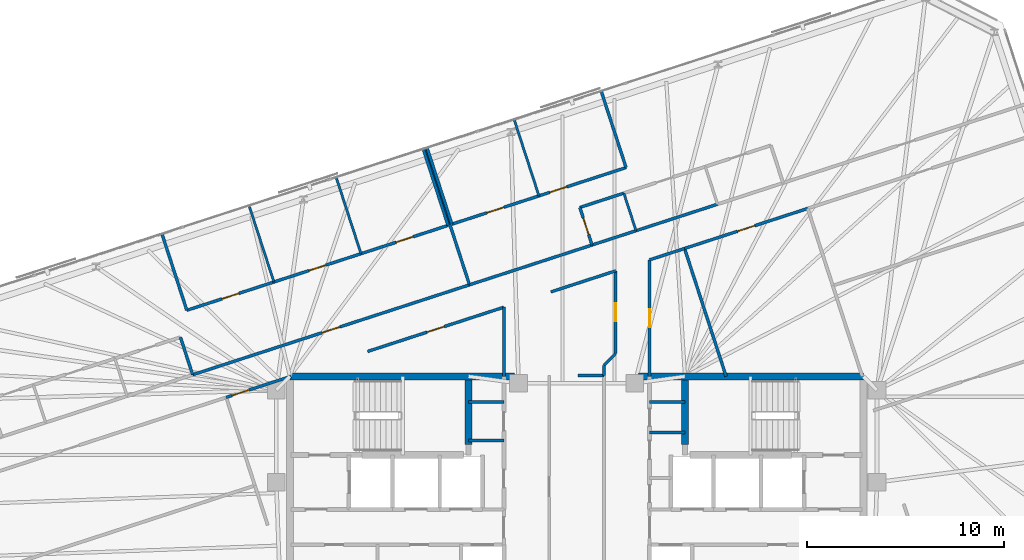
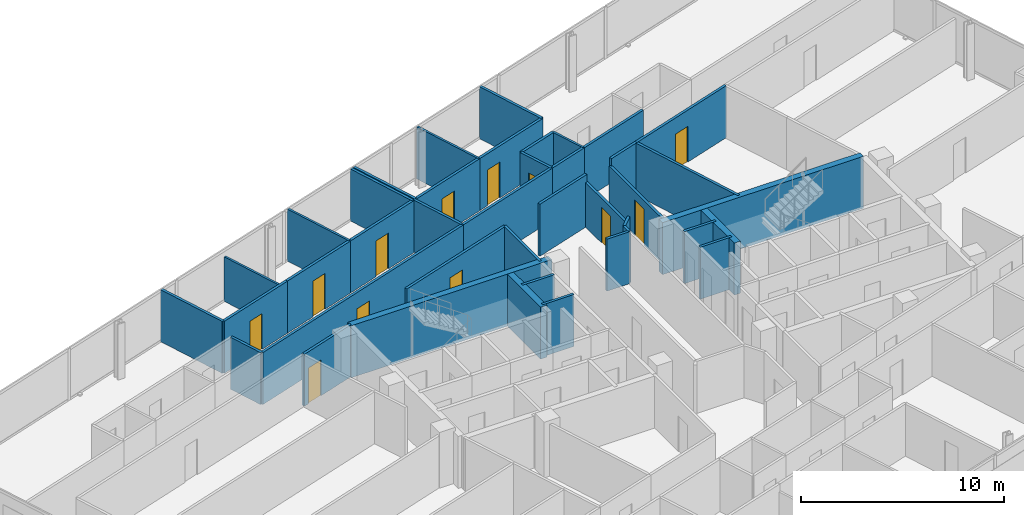
# One storey, part 17 of 20: 41 walls, 12 doors, 12 openings.
"""IFC4 building model written with IfcOpenShell, lengths in metres."""

from ifc_helpers import new_model, si_unit, direction, frame, frame_2d, origin, place, context, subcontext, project, spatial, rectangle, extrude, material, layer, layer_set, type_object, element, fill, save


model = new_model("IFC4")

# Units and contexts
model_context = context("Model", 3, precision=1e-05, world=origin(), true_north=direction((0.0, 1.0)))
body_context = subcontext(model_context, "Body", "Model", "MODEL_VIEW")
ifc_project = project(units=[si_unit("LENGTHUNIT", "METRE"), si_unit("AREAUNIT", "SQUARE_METRE"), si_unit("VOLUMEUNIT", "CUBIC_METRE"), si_unit("PLANEANGLEUNIT", "RADIAN"), si_unit("MASSUNIT", "GRAM", prefix="KILO")], contexts=[model_context])

# Site, building, storey
site_placement = place(None, origin())
site = spatial("IfcSite", under=ifc_project, at=site_placement, CompositionType="ELEMENT")
building_placement = place(site_placement, origin())
building = spatial("IfcBuilding", under=site, at=building_placement, Name="Menara Jurai Vektor", CompositionType="ELEMENT")
storey_placement = place(building_placement, frame((0.0, 0.0, 247.75)))
storey = spatial("IfcBuildingStorey", under=building, at=storey_placement, Name="L66", CompositionType="ELEMENT", Elevation=247.75)

# Walls
ifc_material_1 = material(Name="Gypsum Fireboard Partition", Category="gypsum")
ifc_layer_1 = layer(ifc_material_1, 0.14990234375)
ifc_layer_set_1 = layer_set([ifc_layer_1], Name="Gypsum Fireboard Partition")
wall_type_1 = type_object("IfcWallType", Name="INT-WALL-CORR-150", PredefinedType="PARTITIONING", material=ifc_layer_set_1)
for number, where, z_axis, x_axis, name in (
    (1, (-5.5, 4.300048828125, 0.0), (0.0, 0.0, 1.0), (1.0, 0.0, 0.0), "Interior Wall IW-150 L66"),
    (2, (-5.5, 2.35009765625, 0.0), (0.0, 0.0, 1.0), (1.0, 0.0, 0.0), "Interior Wall IW-150 L66"),
    (3, (3.699951171875, 4.300048828125, 0.0), (0.0, 0.0, 1.0), (1.0, 0.0, 0.0), "Interior Wall IW-150 L66"),
    (4, (3.699951171875, 2.75, 0.0), (0.0, 0.0, 1.0), (1.0, 0.0, 0.0), "Interior Wall IW-150 L66"),
):
    element("IfcWall", number, at=place(storey_placement, frame(where, z_axis=z_axis, x_axis=x_axis)), inside=storey, type_object=wall_type_1, Name=name, PredefinedType="PARTITIONING", context=body_context, shape_type="SweptSolid", body=[
        extrude(rectangle(XDim=1.800048828125, YDim=0.14990234375, at=frame_2d((0.89990234375, 0.0))), origin(), (0.0, 0.0, 1.0), 3.125),
    ])

# Wall, opening, door
wall_1_placement = place(storey_placement, frame((-19.4970703125, 5.68017578125, 0.0), z_axis=(0.0, 0.0, 1.0), x_axis=(0.95105300492, 0.309027801067, 0.0)))
wall_1 = element("IfcWall", 5, at=wall_1_placement, inside=storey, type_object=wall_type_1, Name="Interior Wall IW-150 L66", PredefinedType="PARTITIONING", context=body_context, shape_type="SweptSolid", body=[
    extrude(rectangle(XDim=14.779052734375, YDim=0.14990234375, at=frame_2d((7.3896484375, 0.0))), origin(), (0.0, 0.0, 1.0), 3.125),
])
opening_1_placement = place(wall_1_placement, frame((6.91455078125, 0.0, 0.0)))
opening_1 = element("IfcOpeningElement", 6, at=opening_1_placement, cuts=wall_1, Name="Opening D66-10", PredefinedType="OPENING", context=body_context, shape_type="SweptSolid", body=[
    extrude(rectangle(XDim=0.949951171875, YDim=2.14990234375, at=frame_2d((0.47509765625, 1.074951171875))), frame((0.0, 0.0849609375, 0.0), z_axis=(0.0, -1.0, 0.0), x_axis=(1.0, 0.0, 0.0)), (0.0, 0.0, 1.0), 0.169921875),
])
ifc_material_2 = material(Name="Solid Core Timber Fire Door", Category="wood")
door_type_1 = type_object("IfcDoorType", Name="DR-ENTRY-950", OperationType="NOTDEFINED", PredefinedType="DOOR", material=ifc_material_2)
door_1_placement = place(opening_1_placement, origin())
door_1 = element("IfcDoor", 7, at=door_1_placement, inside=storey, type_object=door_type_1, Name="Interior Door D66-10", OperationType="SINGLE_SWING_RIGHT", OverallHeight=2.14990234375, OverallWidth=0.949951171875, PredefinedType="DOOR", context=body_context, shape_type="SweptSolid", body=[
    extrude(rectangle(XDim=0.949951171875, YDim=2.14990234375, at=frame_2d((0.47509765625, 1.074951171875))), frame((0.0, 0.02490234375, 0.0), z_axis=(0.0, -1.0, 0.0), x_axis=(1.0, 0.0, 0.0)), (0.0, 0.0, 1.0), 0.050048828125),
])
fill(opening_1, door_1)

# Walls
wall_2_placement = place(storey_placement, frame((-5.44140625, 10.247314453125, 0.0), z_axis=(0.0, 0.0, 1.0), x_axis=(0.951062860421, 0.308997468483, 0.0)))
element("IfcWall", 8, at=wall_2_placement, inside=storey, type_object=wall_type_1, Name="Interior Wall IW-150 L66", PredefinedType="PARTITIONING", context=body_context, shape_type="SweptSolid", body=[
    extrude(rectangle(XDim=6.5419921875, YDim=0.14990234375, at=frame_2d((3.27099609375, 0.0))), origin(), (0.0, 0.0, 1.0), 3.125),
])
wall_3_placement = place(storey_placement, frame((0.780517578125, 12.268798828125, 0.0), z_axis=(0.0, 0.0, 1.0), x_axis=(0.951066131077, 0.308987401554, 0.0)))
element("IfcWall", 9, at=wall_3_placement, inside=storey, type_object=wall_type_1, Name="Interior Wall IW-150 L66", PredefinedType="PARTITIONING", context=body_context, shape_type="SweptSolid", body=[
    extrude(rectangle(XDim=2.349853515625, YDim=0.14990234375, at=frame_2d((1.1748046875, 0.0))), origin(), (0.0, 0.0, 1.0), 3.125),
])
wall_4_placement = place(storey_placement, frame((3.015380859375, 12.994873046875, 0.0), z_axis=(0.0, 0.0, 1.0), x_axis=(0.951052627573, 0.309028962374, 0.0)))
element("IfcWall", 10, at=wall_4_placement, inside=storey, type_object=wall_type_1, Name="Interior Wall IW-150 L66", PredefinedType="PARTITIONING", context=body_context, shape_type="SweptSolid", body=[
    extrude(rectangle(XDim=4.349853515625, YDim=0.14990234375, at=frame_2d((2.1748046875, 0.0))), origin(), (0.0, 0.0, 1.0), 3.125),
])
wall_5_placement = place(storey_placement, frame((3.699462890625, 11.513916015625, 0.0), z_axis=(0.0, 0.0, 1.0), x_axis=(0.951069540665, 0.308976906612, 0.0)))
element("IfcWall", 11, at=wall_5_placement, inside=storey, type_object=wall_type_1, Name="Interior Wall IW-150 L66", PredefinedType="PARTITIONING", context=body_context, shape_type="SweptSolid", body=[
    extrude(rectangle(XDim=1.87109375, YDim=0.14990234375, at=frame_2d((0.935546875, 0.0))), origin(), (0.0, 0.0, 1.0), 3.125),
])

# Wall, opening, door
wall_6_placement = place(storey_placement, frame((5.47900390625, 12.092041015625, 0.0), z_axis=(0.0, 0.0, 1.0), x_axis=(0.951051809397, 0.309031480343, 0.0)))
wall_6 = element("IfcWall", 12, at=wall_6_placement, inside=storey, type_object=wall_type_1, Name="Interior Wall IW-150 L66", PredefinedType="PARTITIONING", context=body_context, shape_type="SweptSolid", body=[
    extrude(rectangle(XDim=6.572998046875, YDim=0.14990234375, at=frame_2d((3.28662109375, 0.0))), origin(), (0.0, 0.0, 1.0), 3.125),
])
opening_2_placement = place(wall_6_placement, frame((2.826416015625, 0.0, 0.0)))
opening_2 = element("IfcOpeningElement", 13, at=opening_2_placement, cuts=wall_6, Name="Opening D66-54", PredefinedType="OPENING", context=body_context, shape_type="SweptSolid", body=[
    extrude(rectangle(XDim=0.919921875, YDim=2.14990234375, at=frame_2d((0.4599609375, 1.074951171875))), frame((0.0, 0.0849609375, 0.0), z_axis=(0.0, -1.0, 0.0), x_axis=(1.0, 0.0, 0.0)), (0.0, 0.0, 1.0), 0.169921875),
])
door_2_placement = place(opening_2_placement, origin())
door_2 = element("IfcDoor", 14, at=door_2_placement, inside=storey, type_object=door_type_1, Name="Interior Door D66-54", OperationType="SINGLE_SWING_RIGHT", OverallHeight=2.14990234375, OverallWidth=0.919921875, PredefinedType="DOOR", context=body_context, shape_type="SweptSolid", body=[
    extrude(rectangle(XDim=0.919921875, YDim=2.14990234375, at=frame_2d((0.4599609375, 1.074951171875))), frame((0.0, 0.02490234375, 0.0), z_axis=(0.0, -1.0, 0.0), x_axis=(1.0, 0.0, 0.0)), (0.0, 0.0, 1.0), 0.050048828125),
])
fill(opening_2, door_2)

wall_7_placement = place(storey_placement, frame((-17.79150390625, 4.531005859375, 0.0), z_axis=(0.0, 0.0, 1.0), x_axis=(0.951047546178, 0.309044600193, 0.0)))
wall_7 = element("IfcWall", 15, at=wall_7_placement, inside=storey, type_object=wall_type_1, Name="Interior Wall IW-150 L66", PredefinedType="PARTITIONING", context=body_context, shape_type="SweptSolid", body=[
    extrude(rectangle(XDim=3.4609375, YDim=0.14990234375, at=frame_2d((1.73046875, 0.0))), origin(), (0.0, 0.0, 1.0), 3.125),
])
opening_3_placement = place(wall_7_placement, frame((0.301513671875, 0.0, 0.0)))
opening_3 = element("IfcOpeningElement", 16, at=opening_3_placement, cuts=wall_7, Name="Opening D66-55", PredefinedType="OPENING", context=body_context, shape_type="SweptSolid", body=[
    extrude(rectangle(XDim=0.919921875, YDim=2.14990234375, at=frame_2d((0.4599609375, 1.074951171875))), frame((0.0, 0.0849609375, 0.0), z_axis=(0.0, -1.0, 0.0), x_axis=(1.0, 0.0, 0.0)), (0.0, 0.0, 1.0), 0.169921875),
])
door_3_placement = place(opening_3_placement, origin())
door_3 = element("IfcDoor", 17, at=door_3_placement, inside=storey, type_object=door_type_1, Name="Interior Door D66-55", OperationType="SINGLE_SWING_LEFT", OverallHeight=2.14990234375, OverallWidth=0.919921875, PredefinedType="DOOR", context=body_context, shape_type="SweptSolid", body=[
    extrude(rectangle(XDim=0.919921875, YDim=2.14990234375, at=frame_2d((0.4599609375, 1.074951171875))), frame((0.0, 0.02490234375, 0.0), z_axis=(0.0, -1.0, 0.0), x_axis=(1.0, 0.0, 0.0)), (0.0, 0.0, 1.0), 0.050048828125),
])
fill(opening_3, door_3)

# Walls
wall_8_placement = place(storey_placement, frame((-1.310791015625, 9.885986328125, 0.0), z_axis=(0.0, 0.0, 1.0), x_axis=(0.951068803905, 0.308979174442, 0.0)))
element("IfcWall", 18, at=wall_8_placement, inside=storey, type_object=wall_type_1, Name="Interior Wall IW-150 L66", PredefinedType="PARTITIONING", context=body_context, shape_type="SweptSolid", body=[
    extrude(rectangle(XDim=3.4599609375, YDim=0.14990234375, at=frame_2d((1.72998046875, 0.0))), origin(), (0.0, 0.0, 1.0), 3.125),
])
wall_9_placement = place(storey_placement, frame((1.390625, 5.6494140625, 0.0), z_axis=(0.0, 0.0, 1.0), x_axis=(0.000957395444, 0.999999541697, 0.0)))
element("IfcWall", 19, at=wall_9_placement, inside=storey, type_object=wall_type_1, Name="Interior Wall IW-150 L66", PredefinedType="PARTITIONING", context=body_context, shape_type="SweptSolid", body=[
    extrude(rectangle(XDim=0.510009765625, YDim=0.14990234375, at=frame_2d((0.2548828125, 0.0))), origin(), (0.0, 0.0, 1.0), 3.125),
])
wall_10_placement = place(storey_placement, frame((1.39111328125, 6.159423828125, 0.0), z_axis=(0.0, 0.0, 1.0), x_axis=(0.707106781187, 0.707106781187, 0.0)))
element("IfcWall", 20, at=wall_10_placement, inside=storey, type_object=wall_type_1, Name="Interior Wall IW-150 L66", PredefinedType="PARTITIONING", context=body_context, shape_type="SweptSolid", body=[
    extrude(rectangle(XDim=0.832763671875, YDim=0.14990234375, at=frame_2d((0.41650390625, 0.0))), origin(), (0.0, 0.0, 1.0), 3.125),
])

# Wall, opening, door
wall_11_placement = place(storey_placement, frame((-10.612060546875, 6.86376953125, 0.0), z_axis=(0.0, 0.0, 1.0), x_axis=(0.951060972078, 0.309003280548, 0.0)))
wall_11 = element("IfcWall", 21, at=wall_11_placement, inside=storey, type_object=wall_type_1, Name="Interior Wall IW-150 L66", PredefinedType="PARTITIONING", context=body_context, shape_type="SweptSolid", body=[
    extrude(rectangle(XDim=7.26806640625, YDim=0.14990234375, at=frame_2d((3.634033203125, 0.0))), origin(), (0.0, 0.0, 1.0), 3.125),
])
opening_4_placement = place(wall_11_placement, frame((3.174072265625, 0.0, 0.0)))
opening_4 = element("IfcOpeningElement", 22, at=opening_4_placement, cuts=wall_11, Name="Opening D66-57", PredefinedType="OPENING", context=body_context, shape_type="SweptSolid", body=[
    extrude(rectangle(XDim=0.919921875, YDim=2.14990234375, at=frame_2d((0.4599609375, 1.074951171875))), frame((0.0, 0.0849609375, 0.0), z_axis=(0.0, -1.0, 0.0), x_axis=(1.0, 0.0, 0.0)), (0.0, 0.0, 1.0), 0.169921875),
])
door_4_placement = place(opening_4_placement, origin())
door_4 = element("IfcDoor", 23, at=door_4_placement, inside=storey, type_object=door_type_1, Name="Interior Door D66-57", OperationType="SINGLE_SWING_LEFT", OverallHeight=2.14990234375, OverallWidth=0.919921875, PredefinedType="DOOR", context=body_context, shape_type="SweptSolid", body=[
    extrude(rectangle(XDim=0.919921875, YDim=2.14990234375, at=frame_2d((0.4599609375, 1.074951171875))), frame((0.0, 0.02490234375, 0.0), z_axis=(0.0, -1.0, 0.0), x_axis=(1.0, 0.0, 0.0)), (0.0, 0.0, 1.0), 0.050048828125),
])
fill(opening_4, door_4)

# Walls
wall_12_placement = place(storey_placement, frame((-3.7001953125, 5.599853515625, 0.0), z_axis=(0.0, 0.0, 1.0), x_axis=(0.000139120755, 0.999999990323, 0.0)))
element("IfcWall", 24, at=wall_12_placement, inside=storey, type_object=wall_type_1, Name="Interior Wall IW-150 L66", PredefinedType="PARTITIONING", context=body_context, shape_type="SweptSolid", body=[
    extrude(rectangle(XDim=3.509765625, YDim=0.14990234375, at=frame_2d((1.7548828125, 0.0))), origin(), (0.0, 0.0, 1.0), 3.125),
])
wall_13_placement = place(storey_placement, frame((0.065673828125, 5.64990234375, 0.0), z_axis=(0.0, 0.0, 1.0), x_axis=(0.999999932094, -0.000368527707, 0.0)))
element("IfcWall", 25, at=wall_13_placement, inside=storey, type_object=wall_type_1, Name="Interior Wall IW-150 L66", PredefinedType="PARTITIONING", context=body_context, shape_type="SweptSolid", body=[
    extrude(rectangle(XDim=1.324951171875, YDim=0.14990234375, at=frame_2d((0.66259765625, 0.0))), origin(), (0.0, 0.0, 1.0), 3.125),
])
wall_14_placement = place(storey_placement, frame((-19.4970703125, 5.68017578125, 0.0), z_axis=(0.0, 0.0, 1.0), x_axis=(-0.309022749039, 0.951054646472, 0.0)))
element("IfcWall", 26, at=wall_14_placement, inside=storey, type_object=wall_type_1, Name="Interior Wall IW-150 L66", PredefinedType="PARTITIONING", context=body_context, shape_type="SweptSolid", body=[
    extrude(rectangle(XDim=2.005126953125, YDim=0.14990234375, at=frame_2d((1.00244140625, 0.0))), origin(), (0.0, 0.0, 1.0), 3.125),
])
wall_15_placement = place(storey_placement, frame((-19.794189453125, 8.95361328125, 0.0), z_axis=(0.0, 0.0, 1.0), x_axis=(-0.309018403393, 0.951056058476, 0.0)))
element("IfcWall", 27, at=wall_15_placement, inside=storey, type_object=wall_type_1, Name="Interior Wall IW-150 L66", PredefinedType="PARTITIONING", context=body_context, shape_type="SweptSolid", body=[
    extrude(rectangle(XDim=4.0791015625, YDim=0.14990234375, at=frame_2d((2.03955078125, 0.0))), origin(), (0.0, 0.0, 1.0), 3.125),
])

# Wall, opening, door
wall_16_placement = place(storey_placement, frame((-19.794189453125, 8.95361328125, 0.0), z_axis=(0.0, 0.0, 1.0), x_axis=(0.951065702951, 0.308988719326, 0.0)))
wall_16 = element("IfcWall", 28, at=wall_16_placement, inside=storey, type_object=wall_type_1, Name="Interior Wall IW-150 L66", PredefinedType="PARTITIONING", context=body_context, shape_type="SweptSolid", body=[
    extrude(rectangle(XDim=4.64990234375, YDim=0.14990234375, at=frame_2d((2.324951171875, 0.0))), origin(), (0.0, 0.0, 1.0), 3.125),
])
opening_5_placement = place(wall_16_placement, frame((1.875, 0.0, 0.0)))
opening_5 = element("IfcOpeningElement", 29, at=opening_5_placement, cuts=wall_16, Name="Opening D66-14", PredefinedType="OPENING", context=body_context, shape_type="SweptSolid", body=[
    extrude(rectangle(XDim=0.89990234375, YDim=2.14990234375, at=frame_2d((0.449951171875, 1.074951171875))), frame((0.0, 0.0849609375, 0.0), z_axis=(0.0, -1.0, 0.0), x_axis=(1.0, 0.0, 0.0)), (0.0, 0.0, 1.0), 0.169921875),
])
ifc_material_3 = material(Name="Acoustic Timber Interior Door", Category="wood")
door_type_2 = type_object("IfcDoorType", Name="DR-ROOM-900", OperationType="NOTDEFINED", PredefinedType="DOOR", material=ifc_material_3)
door_5_placement = place(opening_5_placement, origin())
door_5 = element("IfcDoor", 30, at=door_5_placement, inside=storey, type_object=door_type_2, Name="Interior Door D66-14", OperationType="SINGLE_SWING_RIGHT", OverallHeight=2.14990234375, OverallWidth=0.89990234375, PredefinedType="DOOR", context=body_context, shape_type="SweptSolid", body=[
    extrude(rectangle(XDim=0.89990234375, YDim=2.14990234375, at=frame_2d((0.449951171875, 1.074951171875))), frame((0.0, 0.02490234375, 0.0), z_axis=(0.0, -1.0, 0.0), x_axis=(1.0, 0.0, 0.0)), (0.0, 0.0, 1.0), 0.050048828125),
])
fill(opening_5, door_5)

wall_17_placement = place(storey_placement, frame((-15.371826171875, 10.390380859375, 0.0), z_axis=(0.0, 0.0, 1.0), x_axis=(0.951050272606, 0.309036209813, 0.0)))
wall_17 = element("IfcWall", 31, at=wall_17_placement, inside=storey, type_object=wall_type_1, Name="Interior Wall IW-150 L66", PredefinedType="PARTITIONING", context=body_context, shape_type="SweptSolid", body=[
    extrude(rectangle(XDim=4.64990234375, YDim=0.14990234375, at=frame_2d((2.324951171875, 0.0))), origin(), (0.0, 0.0, 1.0), 3.125),
])
opening_6_placement = place(wall_17_placement, frame((1.875, 0.0, 0.0)))
opening_6 = element("IfcOpeningElement", 32, at=opening_6_placement, cuts=wall_17, Name="Opening D66-15", PredefinedType="OPENING", context=body_context, shape_type="SweptSolid", body=[
    extrude(rectangle(XDim=0.89990234375, YDim=2.14990234375, at=frame_2d((0.449951171875, 1.074951171875))), frame((0.0, 0.0849609375, 0.0), z_axis=(0.0, -1.0, 0.0), x_axis=(1.0, 0.0, 0.0)), (0.0, 0.0, 1.0), 0.169921875),
])
door_6_placement = place(opening_6_placement, origin())
door_6 = element("IfcDoor", 33, at=door_6_placement, inside=storey, type_object=door_type_2, Name="Interior Door D66-15", OperationType="SINGLE_SWING_LEFT", OverallHeight=2.14990234375, OverallWidth=0.89990234375, PredefinedType="DOOR", context=body_context, shape_type="SweptSolid", body=[
    extrude(rectangle(XDim=0.89990234375, YDim=2.14990234375, at=frame_2d((0.449951171875, 1.074951171875))), frame((0.0, 0.02490234375, 0.0), z_axis=(0.0, -1.0, 0.0), x_axis=(1.0, 0.0, 0.0)), (0.0, 0.0, 1.0), 0.050048828125),
])
fill(opening_6, door_6)

wall_18_placement = place(storey_placement, frame((-10.949462890625, 11.827392578125, 0.0), z_axis=(0.0, 0.0, 1.0), x_axis=(0.951050272606, 0.309036209813, 0.0)))
wall_18 = element("IfcWall", 34, at=wall_18_placement, inside=storey, type_object=wall_type_1, Name="Interior Wall IW-150 L66", PredefinedType="PARTITIONING", context=body_context, shape_type="SweptSolid", body=[
    extrude(rectangle(XDim=4.64990234375, YDim=0.14990234375, at=frame_2d((2.324951171875, 0.0))), origin(), (0.0, 0.0, 1.0), 3.125),
])
opening_7_placement = place(wall_18_placement, frame((1.875, 0.0, 0.0)))
opening_7 = element("IfcOpeningElement", 35, at=opening_7_placement, cuts=wall_18, Name="Opening D66-16", PredefinedType="OPENING", context=body_context, shape_type="SweptSolid", body=[
    extrude(rectangle(XDim=0.89990234375, YDim=2.14990234375, at=frame_2d((0.449951171875, 1.074951171875))), frame((0.0, 0.0849609375, 0.0), z_axis=(0.0, -1.0, 0.0), x_axis=(1.0, 0.0, 0.0)), (0.0, 0.0, 1.0), 0.169921875),
])
door_7_placement = place(opening_7_placement, origin())
door_7 = element("IfcDoor", 36, at=door_7_placement, inside=storey, type_object=door_type_2, Name="Interior Door D66-16", OperationType="SINGLE_SWING_RIGHT", OverallHeight=2.14990234375, OverallWidth=0.89990234375, PredefinedType="DOOR", context=body_context, shape_type="SweptSolid", body=[
    extrude(rectangle(XDim=0.89990234375, YDim=2.14990234375, at=frame_2d((0.449951171875, 1.074951171875))), frame((0.0, 0.02490234375, 0.0), z_axis=(0.0, -1.0, 0.0), x_axis=(1.0, 0.0, 0.0)), (0.0, 0.0, 1.0), 0.050048828125),
])
fill(opening_7, door_7)

# Walls
wall_19_placement = place(storey_placement, frame((-6.527099609375, 13.264404296875, 0.0), z_axis=(0.0, 0.0, 1.0), x_axis=(-0.308964264858, 0.951073647538, 0.0)))
element("IfcWall", 37, at=wall_19_placement, inside=storey, type_object=wall_type_1, Name="Interior Wall IW-150 L66", PredefinedType="PARTITIONING", context=body_context, shape_type="SweptSolid", body=[
    extrude(rectangle(XDim=4.078857421875, YDim=0.14990234375, at=frame_2d((2.03955078125, 0.0))), origin(), (0.0, 0.0, 1.0), 3.125),
])
wall_20_placement = place(storey_placement, frame((-5.44140625, 10.247314453125, 0.0), z_axis=(0.0, 0.0, 1.0), x_axis=(-0.309039081864, 0.951049339351, 0.0)))
element("IfcWall", 38, at=wall_20_placement, inside=storey, type_object=wall_type_1, Name="Interior Wall IW-150 L66", PredefinedType="PARTITIONING", context=body_context, shape_type="SweptSolid", body=[
    extrude(rectangle(XDim=7.28369140625, YDim=0.14990234375, at=frame_2d((3.641845703125, 0.0))), origin(), (0.0, 0.0, 1.0), 3.125),
])

# Wall, opening, door
wall_21_placement = place(storey_placement, frame((0.780517578125, 12.268798828125, 0.0), z_axis=(0.0, 0.0, 1.0), x_axis=(-0.309058537449, 0.951043017129, 0.0)))
wall_21 = element("IfcWall", 39, at=wall_21_placement, inside=storey, type_object=wall_type_1, Name="Interior Wall IW-150 L66", PredefinedType="PARTITIONING", context=body_context, shape_type="SweptSolid", body=[
    extrude(rectangle(XDim=2.0048828125, YDim=0.14990234375, at=frame_2d((1.00244140625, 0.0))), origin(), (0.0, 0.0, 1.0), 3.125),
])
opening_8_placement = place(wall_21_placement, frame((0.5625, 0.0, 0.0)))
opening_8 = element("IfcOpeningElement", 40, at=opening_8_placement, cuts=wall_21, Name="Opening D66-18", PredefinedType="OPENING", context=body_context, shape_type="SweptSolid", body=[
    extrude(rectangle(XDim=0.8798828125, YDim=2.14990234375, at=frame_2d((0.43994140625, 1.074951171875))), frame((0.0, 0.0849609375, 0.0), z_axis=(0.0, -1.0, 0.0), x_axis=(1.0, 0.0, 0.0)), (0.0, 0.0, 1.0), 0.169921875),
])
ifc_material_4 = material(Name="Moisture-Resistant Timber Door", Category="wood")
door_type_3 = type_object("IfcDoorType", Name="DR-BATH-880", OperationType="NOTDEFINED", PredefinedType="DOOR", material=ifc_material_4)
door_8_placement = place(opening_8_placement, origin())
door_8 = element("IfcDoor", 41, at=door_8_placement, inside=storey, type_object=door_type_3, Name="Interior Door D66-18", OperationType="SINGLE_SWING_RIGHT", OverallHeight=2.14990234375, OverallWidth=0.8798828125, PredefinedType="DOOR", context=body_context, shape_type="SweptSolid", body=[
    extrude(rectangle(XDim=0.8798828125, YDim=2.14990234375, at=frame_2d((0.43994140625, 1.074951171875))), frame((0.0, 0.02490234375, 0.0), z_axis=(0.0, -1.0, 0.0), x_axis=(1.0, 0.0, 0.0)), (0.0, 0.0, 1.0), 0.050048828125),
])
fill(opening_8, door_8)

# Walls
wall_22_placement = place(storey_placement, frame((0.160888671875, 14.175537109375, 0.0), z_axis=(0.0, 0.0, 1.0), x_axis=(0.951035595692, 0.309081373955, 0.0)))
element("IfcWall", 42, at=wall_22_placement, inside=storey, type_object=wall_type_1, Name="Interior Wall IW-150 L66", PredefinedType="PARTITIONING", context=body_context, shape_type="SweptSolid", body=[
    extrude(rectangle(XDim=2.349853515625, YDim=0.14990234375, at=frame_2d((1.1748046875, 0.0))), origin(), (0.0, 0.0, 1.0), 3.125),
])
wall_23_placement = place(storey_placement, frame((-6.336669921875, 13.326171875, 0.0), z_axis=(0.0, 0.0, 1.0), x_axis=(-0.309018403393, 0.951056058476, 0.0)))
element("IfcWall", 43, at=wall_23_placement, inside=storey, type_object=wall_type_1, Name="Interior Wall IW-150 L66", PredefinedType="PARTITIONING", context=body_context, shape_type="SweptSolid", body=[
    extrude(rectangle(XDim=4.0791015625, YDim=0.14990234375, at=frame_2d((2.03955078125, 0.0))), origin(), (0.0, 0.0, 1.0), 3.125),
])

# Wall, opening, door
wall_24_placement = place(storey_placement, frame((-6.336669921875, 13.326171875, 0.0), z_axis=(0.0, 0.0, 1.0), x_axis=(0.951050272606, 0.309036209813, 0.0)))
wall_24 = element("IfcWall", 44, at=wall_24_placement, inside=storey, type_object=wall_type_1, Name="Interior Wall IW-150 L66", PredefinedType="PARTITIONING", context=body_context, shape_type="SweptSolid", body=[
    extrude(rectangle(XDim=4.64990234375, YDim=0.14990234375, at=frame_2d((2.324951171875, 0.0))), origin(), (0.0, 0.0, 1.0), 3.125),
])
opening_9_placement = place(wall_24_placement, frame((1.875, 0.0, 0.0)))
opening_9 = element("IfcOpeningElement", 45, at=opening_9_placement, cuts=wall_24, Name="Opening D66-21", PredefinedType="OPENING", context=body_context, shape_type="SweptSolid", body=[
    extrude(rectangle(XDim=0.89990234375, YDim=2.14990234375, at=frame_2d((0.449951171875, 1.074951171875))), frame((0.0, 0.0849609375, 0.0), z_axis=(0.0, -1.0, 0.0), x_axis=(1.0, 0.0, 0.0)), (0.0, 0.0, 1.0), 0.169921875),
])
door_9_placement = place(opening_9_placement, origin())
door_9 = element("IfcDoor", 46, at=door_9_placement, inside=storey, type_object=door_type_2, Name="Interior Door D66-21", OperationType="SINGLE_SWING_LEFT", OverallHeight=2.14990234375, OverallWidth=0.89990234375, PredefinedType="DOOR", context=body_context, shape_type="SweptSolid", body=[
    extrude(rectangle(XDim=0.89990234375, YDim=2.14990234375, at=frame_2d((0.449951171875, 1.074951171875))), frame((0.0, 0.02490234375, 0.0), z_axis=(0.0, -1.0, 0.0), x_axis=(1.0, 0.0, 0.0)), (0.0, 0.0, 1.0), 0.050048828125),
])
fill(opening_9, door_9)

wall_25_placement = place(storey_placement, frame((-1.914306640625, 14.76318359375, 0.0), z_axis=(0.0, 0.0, 1.0), x_axis=(0.951065702951, 0.308988719326, 0.0)))
wall_25 = element("IfcWall", 47, at=wall_25_placement, inside=storey, type_object=wall_type_1, Name="Interior Wall IW-150 L66", PredefinedType="PARTITIONING", context=body_context, shape_type="SweptSolid", body=[
    extrude(rectangle(XDim=4.64990234375, YDim=0.14990234375, at=frame_2d((2.324951171875, 0.0))), origin(), (0.0, 0.0, 1.0), 3.125),
])
opening_10_placement = place(wall_25_placement, frame((0.572998046875, 0.0, 0.0)))
opening_10 = element("IfcOpeningElement", 48, at=opening_10_placement, cuts=wall_25, Name="Opening D66-22", PredefinedType="OPENING", context=body_context, shape_type="SweptSolid", body=[
    extrude(rectangle(XDim=0.89990234375, YDim=2.14990234375, at=frame_2d((0.449951171875, 1.074951171875))), frame((0.0, 0.0849609375, 0.0), z_axis=(0.0, -1.0, 0.0), x_axis=(1.0, 0.0, 0.0)), (0.0, 0.0, 1.0), 0.169921875),
])
door_10_placement = place(opening_10_placement, origin())
door_10 = element("IfcDoor", 49, at=door_10_placement, inside=storey, type_object=door_type_2, Name="Interior Door D66-22", OperationType="SINGLE_SWING_RIGHT", OverallHeight=2.14990234375, OverallWidth=0.89990234375, PredefinedType="DOOR", context=body_context, shape_type="SweptSolid", body=[
    extrude(rectangle(XDim=0.89990234375, YDim=2.14990234375, at=frame_2d((0.449951171875, 1.074951171875))), frame((0.0, 0.02490234375, 0.0), z_axis=(0.0, -1.0, 0.0), x_axis=(1.0, 0.0, 0.0)), (0.0, 0.0, 1.0), 0.050048828125),
])
fill(opening_10, door_10)

# Walls
wall_26_placement = place(storey_placement, frame((2.508056640625, 16.199951171875, 0.0), z_axis=(0.0, 0.0, 1.0), x_axis=(-0.309018403393, 0.951056058476, 0.0)))
element("IfcWall", 50, at=wall_26_placement, inside=storey, type_object=wall_type_1, Name="Interior Wall IW-150 L66", PredefinedType="PARTITIONING", context=body_context, shape_type="SweptSolid", body=[
    extrude(rectangle(XDim=4.0791015625, YDim=0.14990234375, at=frame_2d((2.03955078125, 0.0))), origin(), (0.0, 0.0, 1.0), 3.125),
])
wall_27_placement = place(storey_placement, frame((7.58837890625, 5.60009765625, 0.0), z_axis=(0.0, 0.0, 1.0), x_axis=(-0.309018946982, 0.951055881852, 0.0)))
element("IfcWall", 51, at=wall_27_placement, inside=storey, type_object=wall_type_1, Name="Interior Wall IW-150 L66", PredefinedType="PARTITIONING", context=body_context, shape_type="SweptSolid", body=[
    extrude(rectangle(XDim=6.825927734375, YDim=0.14990234375, at=frame_2d((3.4130859375, 0.0))), origin(), (0.0, 0.0, 1.0), 3.125),
])

# Wall, opening, door
ifc_layer_2 = layer(ifc_material_1, 0.14990234375)
ifc_layer_set_2 = layer_set([ifc_layer_2], Name="Gypsum Fireboard Partition")
wall_type_2 = type_object("IfcWallType", Name="INT-WALL-CORR-150-H1", PredefinedType="PARTITIONING", material=ifc_layer_set_2)
wall_28_placement = place(storey_placement, frame((3.7001953125, 5.599609375, 0.0), z_axis=(0.0, 0.0, 1.0), x_axis=(-0.000123839008, 0.999999992332, 0.0)))
wall_28 = element("IfcWall", 52, at=wall_28_placement, inside=storey, type_object=wall_type_2, Name="Interior Wall IW-150 L66", PredefinedType="PARTITIONING", context=body_context, shape_type="SweptSolid", body=[
    extrude(rectangle(XDim=5.914306640625, YDim=0.14990234375, at=frame_2d((2.95703125, 0.0))), origin(), (0.0, 0.0, 1.0), 2.675048828125),
])
opening_11_placement = place(wall_28_placement, frame((2.497314453125, 0.0, 0.0)))
opening_11 = element("IfcOpeningElement", 53, at=opening_11_placement, cuts=wall_28, Name="Opening D66-53", PredefinedType="OPENING", context=body_context, shape_type="SweptSolid", body=[
    extrude(rectangle(XDim=0.919921875, YDim=2.14990234375, at=frame_2d((0.4599609375, 1.074951171875))), frame((0.0, 0.0849609375, 0.0), z_axis=(0.0, -1.0, 0.0), x_axis=(1.0, 0.0, 0.0)), (0.0, 0.0, 1.0), 0.169921875),
])
door_11_placement = place(opening_11_placement, origin())
door_11 = element("IfcDoor", 54, at=door_11_placement, inside=storey, type_object=door_type_1, Name="Interior Door D66-53", OperationType="SINGLE_SWING_LEFT", OverallHeight=2.14990234375, OverallWidth=0.919921875, PredefinedType="DOOR", context=body_context, shape_type="SweptSolid", body=[
    extrude(rectangle(XDim=0.919921875, YDim=2.14990234375, at=frame_2d((0.4599609375, 1.074951171875))), frame((0.0, 0.02490234375, 0.0), z_axis=(0.0, -1.0, 0.0), x_axis=(1.0, 0.0, 0.0)), (0.0, 0.0, 1.0), 0.050048828125),
])
fill(opening_11, door_11)

wall_29_placement = place(storey_placement, frame((1.97998046875, 6.748291015625, 0.0), z_axis=(0.0, 0.0, 1.0), x_axis=(0.0, 1.0, 0.0)))
wall_29 = element("IfcWall", 55, at=wall_29_placement, inside=storey, type_object=wall_type_2, Name="Interior Wall IW-150 L66", PredefinedType="PARTITIONING", context=body_context, shape_type="SweptSolid", body=[
    extrude(rectangle(XDim=4.206787109375, YDim=0.14990234375, at=frame_2d((2.103515625, 0.0))), origin(), (0.0, 0.0, 1.0), 2.675048828125),
])
opening_12_placement = place(wall_29_placement, frame((1.643310546875, 0.0, 0.0)))
opening_12 = element("IfcOpeningElement", 56, at=opening_12_placement, cuts=wall_29, Name="Opening D66-56", PredefinedType="OPENING", context=body_context, shape_type="SweptSolid", body=[
    extrude(rectangle(XDim=0.919921875, YDim=2.14990234375, at=frame_2d((0.4599609375, 1.074951171875))), frame((0.0, 0.0849609375, 0.0), z_axis=(0.0, -1.0, 0.0), x_axis=(1.0, 0.0, 0.0)), (0.0, 0.0, 1.0), 0.169921875),
])
door_12_placement = place(opening_12_placement, origin())
door_12 = element("IfcDoor", 57, at=door_12_placement, inside=storey, type_object=door_type_1, Name="Interior Door D66-56", OperationType="SINGLE_SWING_RIGHT", OverallHeight=2.14990234375, OverallWidth=0.919921875, PredefinedType="DOOR", context=body_context, shape_type="SweptSolid", body=[
    extrude(rectangle(XDim=0.919921875, YDim=2.14990234375, at=frame_2d((0.4599609375, 1.074951171875))), frame((0.0, 0.02490234375, 0.0), z_axis=(0.0, -1.0, 0.0), x_axis=(1.0, 0.0, 0.0)), (0.0, 0.0, 1.0), 0.050048828125),
])
fill(opening_12, door_12)

# Walls
ifc_material_5 = material(Name="Gypsum Acoustic Stud Partition", Category="gypsum")
ifc_layer_3 = layer(ifc_material_5, 0.1201171875)
ifc_layer_set_3 = layer_set([ifc_layer_3], Name="Gypsum Acoustic Stud Partition")
wall_type_3 = type_object("IfcWallType", Name="INT-WALL-PART-120", PredefinedType="PARTITIONING", material=ifc_layer_set_3)
wall_30_placement = place(storey_placement, frame((-10.949462890625, 11.827392578125, 0.0), z_axis=(0.0, 0.0, 1.0), x_axis=(-0.308964264858, 0.951073647538, 0.0)))
element("IfcWall", 58, at=wall_30_placement, inside=storey, type_object=wall_type_3, Name="Interior Wall IW-120 L66", PredefinedType="PARTITIONING", context=body_context, shape_type="SweptSolid", body=[
    extrude(rectangle(XDim=4.078857421875, YDim=0.1201171875, at=frame_2d((2.03955078125, 0.0))), origin(), (0.0, 0.0, 1.0), 3.125),
])
wall_31_placement = place(storey_placement, frame((3.015380859375, 12.994873046875, 0.0), z_axis=(0.0, 0.0, 1.0), x_axis=(-0.309022749039, 0.951054646472, 0.0)))
element("IfcWall", 59, at=wall_31_placement, inside=storey, type_object=wall_type_3, Name="Interior Wall IW-120 L66", PredefinedType="PARTITIONING", context=body_context, shape_type="SweptSolid", body=[
    extrude(rectangle(XDim=2.005126953125, YDim=0.1201171875, at=frame_2d((1.00244140625, 0.0))), origin(), (0.0, 0.0, 1.0), 3.125),
])
wall_32_placement = place(storey_placement, frame((-1.914306640625, 14.76318359375, 0.0), z_axis=(0.0, 0.0, 1.0), x_axis=(-0.309018403393, 0.951056058476, 0.0)))
element("IfcWall", 60, at=wall_32_placement, inside=storey, type_object=wall_type_3, Name="Interior Wall IW-120 L66", PredefinedType="PARTITIONING", context=body_context, shape_type="SweptSolid", body=[
    extrude(rectangle(XDim=4.0791015625, YDim=0.1201171875, at=frame_2d((2.03955078125, 0.0))), origin(), (0.0, 0.0, 1.0), 3.125),
])
ifc_layer_4 = layer(ifc_material_5, 0.1201171875)
ifc_layer_set_4 = layer_set([ifc_layer_4], Name="Gypsum Acoustic Stud Partition")
wall_type_4 = type_object("IfcWallType", Name="INT-WALL-PART-120-H1", PredefinedType="PARTITIONING", material=ifc_layer_set_4)
wall_33_placement = place(storey_placement, frame((-15.371826171875, 10.390380859375, 0.0), z_axis=(0.0, 0.0, 1.0), x_axis=(-0.309000814064, 0.951061773445, 0.0)))
element("IfcWall", 61, at=wall_33_placement, inside=storey, type_object=wall_type_4, Name="Interior Wall IW-120 L66", PredefinedType="PARTITIONING", context=body_context, shape_type="SweptSolid", body=[
    extrude(rectangle(XDim=4.079345703125, YDim=0.1201171875, at=frame_2d((2.03955078125, 0.0))), origin(), (0.0, 0.0, 1.0), 2.675048828125),
])
ifc_material_6 = material(Name="Concrete C50/60", Category="concrete")
ifc_layer_5 = layer(ifc_material_6, 0.35009765625)
ifc_layer_set_5 = layer_set([ifc_layer_5], Name="Concrete C50/60")
wall_type_5 = type_object("IfcWallType", Name="STR-WALL-CORE350", PredefinedType="SHEAR", material=ifc_layer_set_5)
wall_34_placement = place(storey_placement, frame((-14.56005859375, 5.60009765625, 0.0), z_axis=(0.0, 0.0, 1.0), x_axis=(1.0, 0.0, 0.0)))
element("IfcWall", 62, at=wall_34_placement, inside=storey, type_object=wall_type_5, Name="Core Shear Wall CW-W-N L66", PredefinedType="SHEAR", context=body_context, shape_type="SweptSolid", body=[
    extrude(rectangle(XDim=11.41015625, YDim=0.35009765625, at=frame_2d((5.705078125, 0.0))), origin(), (0.0, 0.0, 1.0), 3.125),
])
wall_35_placement = place(storey_placement, frame((-5.5, 2.14990234375, 0.0), z_axis=(0.0, 0.0, 1.0), x_axis=(0.0, 1.0, 0.0)))
element("IfcWall", 63, at=wall_35_placement, inside=storey, type_object=wall_type_5, Name="Core Shear Wall CW-W-ST L66", PredefinedType="SHEAR", context=body_context, shape_type="SweptSolid", body=[
    extrude(rectangle(XDim=3.275146484375, YDim=0.35009765625, at=frame_2d((1.6376953125, 0.0))), origin(), (0.0, 0.0, 1.0), 3.125),
])
wall_36_placement = place(storey_placement, frame((3.14990234375, 5.60009765625, 0.0), z_axis=(0.0, 0.0, 1.0), x_axis=(1.0, 0.0, 0.0)))
element("IfcWall", 64, at=wall_36_placement, inside=storey, type_object=wall_type_5, Name="Core Shear Wall CW-E-N L66", PredefinedType="SHEAR", context=body_context, shape_type="SweptSolid", body=[
    extrude(rectangle(XDim=11.41015625, YDim=0.35009765625, at=frame_2d((5.705078125, 0.0))), origin(), (0.0, 0.0, 1.0), 3.125),
])
wall_37_placement = place(storey_placement, frame((5.5, 2.14990234375, 0.0), z_axis=(0.0, 0.0, 1.0), x_axis=(0.0, 1.0, 0.0)))
element("IfcWall", 65, at=wall_37_placement, inside=storey, type_object=wall_type_5, Name="Core Shear Wall CW-E-ST L66", PredefinedType="SHEAR", context=body_context, shape_type="SweptSolid", body=[
    extrude(rectangle(XDim=3.275146484375, YDim=0.35009765625, at=frame_2d((1.6376953125, 0.0))), origin(), (0.0, 0.0, 1.0), 3.125),
])

save(model, "model.ifc")
